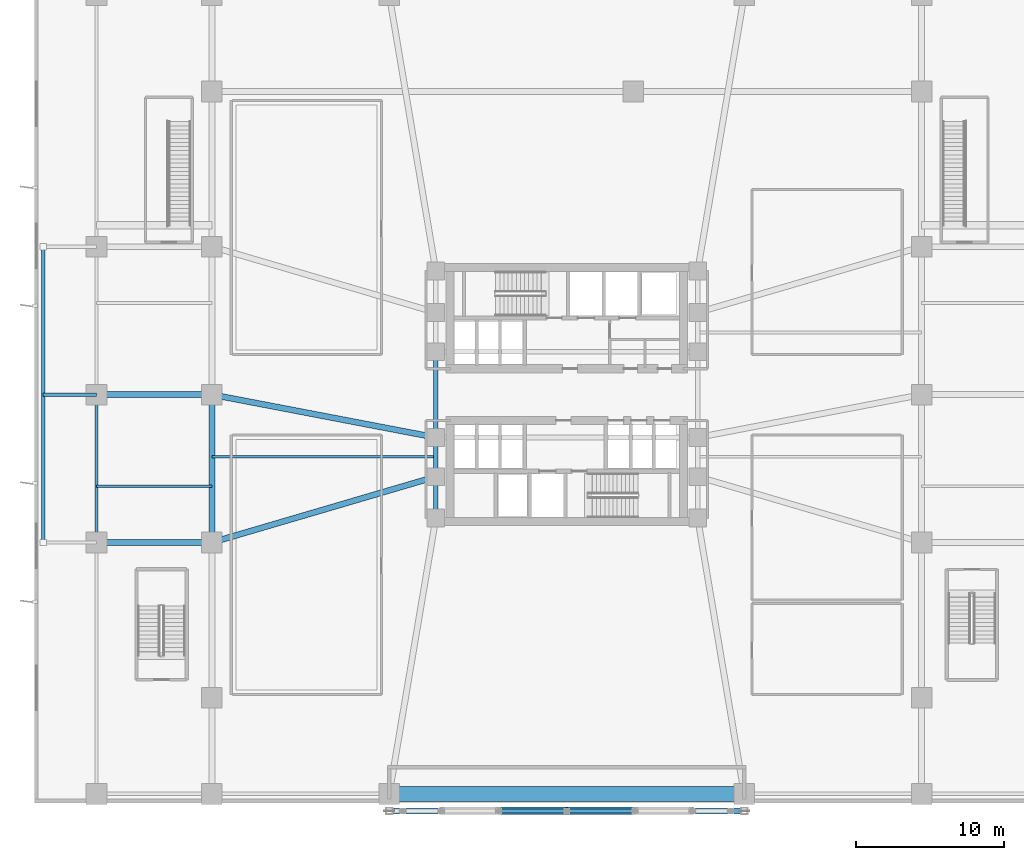
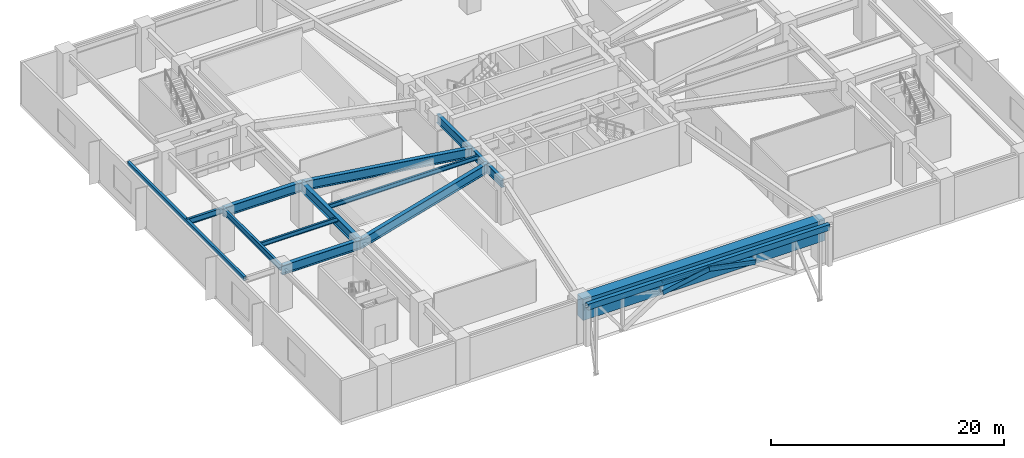
# One storey, part 4 of 21: 15 beams, 4 members.
"""IFC4 building model written with IfcOpenShell, lengths in metres."""

from ifc_helpers import new_model, si_unit, direction, frame, origin, origin_2d, place, context, subcontext, project, spatial, rectangle, hollow_rectangle, i_section, extrude, material, material_profile, profile_set, type_object, element, save


model = new_model("IFC4")

# Units and contexts
model_context = context("Model", 3, precision=1e-05, world=origin(), true_north=direction((0.0, 1.0)))
body_context = subcontext(model_context, "Body", "Model", "MODEL_VIEW")
ifc_project = project(units=[si_unit("LENGTHUNIT", "METRE"), si_unit("AREAUNIT", "SQUARE_METRE"), si_unit("VOLUMEUNIT", "CUBIC_METRE"), si_unit("PLANEANGLEUNIT", "RADIAN"), si_unit("MASSUNIT", "GRAM", prefix="KILO")], contexts=[model_context])

# Site, building, storey
site_placement = place(None, origin())
site = spatial("IfcSite", under=ifc_project, at=site_placement, CompositionType="ELEMENT")
building_placement = place(site_placement, origin())
building = spatial("IfcBuilding", under=site, at=building_placement, Name="Solmarez Civic Tower", CompositionType="ELEMENT")
storey_placement = place(building_placement, frame((0.0, 0.0, 10.080078125)))
storey = spatial("IfcBuildingStorey", under=building, at=storey_placement, Name="L02", CompositionType="ELEMENT", Elevation=10.080078125)

# Beams
ifc_material_1 = material(Name="Steel S355", Category="steel")
ifc_material_profile_1 = material_profile(ifc_material_1, i_section(OverallWidth=0.19189453125, OverallDepth=0.462890625, WebThickness=0.010498046875, FlangeThickness=0.017578125, at=origin_2d()), Name="W18X60")
ifc_profile_set_1 = profile_set([ifc_material_profile_1], Name="Steel S355")
beam_type_1 = type_object("IfcBeamType", Name="BM-JS-W18X60", PredefinedType="JOIST", material=ifc_profile_set_1)
beam_1_placement = place(storey_placement, frame((-24.0, -4.199951171875, 4.1279296875), z_axis=(1.0, 0.0, 0.0), x_axis=(0.0, 1.0, 0.0)))
element("IfcBeam", 1, at=beam_1_placement, inside=storey, type_object=beam_type_1, Name="L02 Secondary Floor Joist JS-L02-WM1", PredefinedType="JOIST", context=body_context, shape_type="SweptSolid", body=[
    extrude(i_section(OverallWidth=0.19189453125, OverallDepth=0.462890625, WebThickness=0.010498046875, FlangeThickness=0.017578125, at=origin_2d()), origin(), (0.0, 0.0, 1.0), 15.14990234375),
])
beam_2_placement = place(storey_placement, frame((-31.800048828125, -6.199951171875, 4.1279296875), z_axis=(1.0, 0.0, 0.0), x_axis=(0.0, 1.0, 0.0)))
element("IfcBeam", 2, at=beam_2_placement, inside=storey, type_object=beam_type_1, Name="L02 Secondary Floor Joist JS-L02-WW1", PredefinedType="JOIST", context=body_context, shape_type="SweptSolid", body=[
    extrude(i_section(OverallWidth=0.19189453125, OverallDepth=0.462890625, WebThickness=0.010498046875, FlangeThickness=0.017578125, at=origin_2d()), origin(), (0.0, 0.0, 1.0), 7.800048828125),
])
ifc_material_profile_2 = material_profile(ifc_material_1, i_section(OverallWidth=0.306884765625, OverallDepth=0.927001953125, WebThickness=0.019287109375, FlangeThickness=0.031982421875, at=origin_2d()), Name="W36X194")
ifc_profile_set_2 = profile_set([ifc_material_profile_2], Name="Steel S355")
beam_type_2 = type_object("IfcBeamType", Name="BM-PR-W36X194", PredefinedType="BEAM", material=ifc_profile_set_2)
beam_3_placement = place(storey_placement, frame((-8.85009765625, -8.35009765625, 3.89599609375), z_axis=(0.0, 1.0, 0.0), x_axis=(-1.0, 0.0, 0.0)))
element("IfcBeam", 3, at=beam_3_placement, inside=storey, type_object=beam_type_2, Name="L02 Primary Floor Beam BM-L02-HC12-HC1", PredefinedType="BEAM", context=body_context, shape_type="SweptSolid", body=[
    extrude(i_section(OverallWidth=0.306884765625, OverallDepth=0.927001953125, WebThickness=0.019287109375, FlangeThickness=0.031982421875, at=origin_2d()), origin(), (0.0, 0.0, 1.0), 2.800048828125),
])
beam_4_placement = place(storey_placement, frame((-8.85009765625, -5.550048828125, 3.89599609375), z_axis=(0.0, 1.0, 0.0), x_axis=(-1.0, 0.0, 0.0)))
element("IfcBeam", 4, at=beam_4_placement, inside=storey, type_object=beam_type_2, Name="L02 Primary Floor Beam BM-L02-HC1-HC2", PredefinedType="BEAM", context=body_context, shape_type="SweptSolid", body=[
    extrude(i_section(OverallWidth=0.306884765625, OverallDepth=0.927001953125, WebThickness=0.019287109375, FlangeThickness=0.031982421875, at=origin_2d()), origin(), (0.0, 0.0, 1.0), 2.650146484375),
])
beam_5_placement = place(storey_placement, frame((-8.85009765625, -2.89990234375, 3.89599609375), z_axis=(0.0, 1.0, 0.0), x_axis=(-1.0, 0.0, 0.0)))
element("IfcBeam", 5, at=beam_5_placement, inside=storey, type_object=beam_type_2, Name="L02 Primary Floor Beam BM-L02-HC2-HC3", PredefinedType="BEAM", context=body_context, shape_type="SweptSolid", body=[
    extrude(i_section(OverallWidth=0.306884765625, OverallDepth=0.927001953125, WebThickness=0.019287109375, FlangeThickness=0.031982421875, at=origin_2d()), origin(), (0.0, 0.0, 1.0), 5.7998046875),
])
ifc_material_profile_3 = material_profile(ifc_material_1, i_section(OverallWidth=0.39892578125, OverallDepth=0.98193359375, WebThickness=0.0166015625, FlangeThickness=0.027099609375, at=origin_2d()), Name="W40X199")
ifc_profile_set_3 = profile_set([ifc_material_profile_3], Name="Steel S355")
beam_type_3 = type_object("IfcBeamType", Name="BM-PR-W40X199", PredefinedType="BEAM", material=ifc_profile_set_3)
beam_6_placement = place(storey_placement, frame((-24.0, -10.0, 3.868896484375), z_axis=(0.0, 1.0, 0.0), x_axis=(-1.0, 0.0, 0.0)))
element("IfcBeam", 6, at=beam_6_placement, inside=storey, type_object=beam_type_3, Name="L02 Primary Floor Beam BM-L02-PC19-PC20", PredefinedType="BEAM", context=body_context, shape_type="SweptSolid", body=[
    extrude(i_section(OverallWidth=0.39892578125, OverallDepth=0.98193359375, WebThickness=0.0166015625, FlangeThickness=0.027099609375, at=origin_2d()), origin(), (0.0, 0.0, 1.0), 10.0),
])
for number, where, z_axis, x_axis, name in (
    (7, (-31.800048828125, -10.0, 3.868896484375), (1.0, 0.0, 0.0), (0.0, 1.0, 0.0), "L02 Primary Floor Beam BM-L02-PC13-PC19"),
    (8, (-31.800048828125, 0.0, 3.868896484375), (1.0, 0.0, 0.0), (0.0, 1.0, 0.0), "L02 Primary Floor Beam BM-L02-PC14-PC20"),
):
    element("IfcBeam", number, at=place(storey_placement, frame(where, z_axis=z_axis, x_axis=x_axis)), inside=storey, type_object=beam_type_3, Name=name, PredefinedType="BEAM", context=body_context, shape_type="SweptSolid", body=[
        extrude(i_section(OverallWidth=0.39892578125, OverallDepth=0.98193359375, WebThickness=0.0166015625, FlangeThickness=0.027099609375, at=origin_2d()), origin(), (0.0, 0.0, 1.0), 7.800048828125),
    ])
beam_7_placement = place(storey_placement, frame((-24.0, -10.0, 3.868896484375), z_axis=(0.959466630969, 0.281822256143, 0.0), x_axis=(-0.281822256143, 0.959466630969, 0.0)))
element("IfcBeam", 9, at=beam_7_placement, inside=storey, type_object=beam_type_3, Name="L02 Primary Floor Beam BM-L02-PC19-HC1", PredefinedType="BEAM", context=body_context, shape_type="SweptSolid", body=[
    extrude(i_section(OverallWidth=0.39892578125, OverallDepth=0.98193359375, WebThickness=0.0166015625, FlangeThickness=0.027099609375, at=origin_2d()), origin(), (0.0, 0.0, 1.0), 15.7900390625),
])
beam_8_placement = place(storey_placement, frame((-24.0, 0.0, 3.868896484375), z_axis=(0.982168874333, -0.188000803966, 0.0), x_axis=(0.188000803966, 0.982168874333, 0.0)))
element("IfcBeam", 10, at=beam_8_placement, inside=storey, type_object=beam_type_3, Name="L02 Primary Floor Beam BM-L02-PC20-HC2", PredefinedType="BEAM", context=body_context, shape_type="SweptSolid", body=[
    extrude(i_section(OverallWidth=0.39892578125, OverallDepth=0.98193359375, WebThickness=0.0166015625, FlangeThickness=0.027099609375, at=origin_2d()), origin(), (0.0, 0.0, 1.0), 15.425048828125),
])
ifc_material_profile_4 = material_profile(ifc_material_1, hollow_rectangle(XDim=0.25, YDim=0.39990234375, WallThickness=0.01611328125, at=origin_2d()), Name="HSS400X250X16")
ifc_profile_set_4 = profile_set([ifc_material_profile_4], Name="Steel S355")
beam_type_4 = type_object("IfcBeamType", Name="BM-SP-HSS400X250", PredefinedType="SPANDREL", material=ifc_profile_set_4)
beam_9_placement = place(storey_placement, frame((-35.39990234375, -10.0, 4.159912109375), z_axis=(0.0, 1.0, 0.0), x_axis=(-1.0, 0.0, 0.0)))
element("IfcBeam", 11, at=beam_9_placement, inside=storey, type_object=beam_type_4, Name="L02 Perimeter Spandrel Beam BM-L02-TERRW-EDGE", PredefinedType="SPANDREL", context=body_context, shape_type="SweptSolid", body=[
    extrude(hollow_rectangle(XDim=0.25, YDim=0.39990234375, WallThickness=0.01611328125, at=origin_2d()), origin(), (0.0, 0.0, 1.0), 20.0),
])
ifc_material_profile_5 = material_profile(ifc_material_1, hollow_rectangle(XDim=0.39990234375, YDim=0.60009765625, WallThickness=0.02490234375, at=origin_2d()), Name="HSS600X400X25")
ifc_profile_set_5 = profile_set([ifc_material_profile_5], Name="Steel S355")
beam_type_5 = type_object("IfcBeamType", Name="BM-SP-HSS600X400", PredefinedType="SPANDREL", material=ifc_profile_set_5)
beam_10_placement = place(storey_placement, frame((-12.0, -28.14990234375, 4.06982421875), z_axis=(1.0, 0.0, 0.0), x_axis=(0.0, 1.0, 0.0)))
element("IfcBeam", 12, at=beam_10_placement, inside=storey, type_object=beam_type_5, Name="L02 South Giant Arch Spandrel Tie Beam", PredefinedType="SPANDREL", context=body_context, shape_type="SweptSolid", body=[
    extrude(hollow_rectangle(XDim=0.39990234375, YDim=0.60009765625, WallThickness=0.02490234375, at=origin_2d()), origin(), (0.0, 0.0, 1.0), 24.0),
])
ifc_material_profile_6 = material_profile(ifc_material_1, i_section(OverallWidth=0.22900390625, OverallDepth=0.612060546875, WebThickness=0.011962890625, FlangeThickness=0.01953125, at=origin_2d()), Name="W24X84")
ifc_profile_set_6 = profile_set([ifc_material_profile_6], Name="Steel S355")
beam_type_6 = type_object("IfcBeamType", Name="BM-SP-W24X84", PredefinedType="SPANDREL", material=ifc_profile_set_6)
beam_11_placement = place(storey_placement, frame((-31.800048828125, -10.0, 4.053955078125), z_axis=(0.0, 1.0, 0.0), x_axis=(-1.0, 0.0, 0.0)))
element("IfcBeam", 13, at=beam_11_placement, inside=storey, type_object=beam_type_6, Name="L02 Perimeter Spandrel Beam BM-L02-PC13-PC14", PredefinedType="SPANDREL", context=body_context, shape_type="SweptSolid", body=[
    extrude(i_section(OverallWidth=0.22900390625, OverallDepth=0.612060546875, WebThickness=0.011962890625, FlangeThickness=0.01953125, at=origin_2d()), origin(), (0.0, 0.0, 1.0), 10.0),
])
beam_12_placement = place(storey_placement, frame((-31.800048828125, 0.0, 4.053955078125), z_axis=(-1.0, 0.0, 0.0), x_axis=(0.0, -1.0, 0.0)))
element("IfcBeam", 14, at=beam_12_placement, inside=storey, type_object=beam_type_6, Name="L02 Perimeter Spandrel Beam BM-L02-TERRW-20", PredefinedType="SPANDREL", context=body_context, shape_type="SweptSolid", body=[
    extrude(i_section(OverallWidth=0.22900390625, OverallDepth=0.612060546875, WebThickness=0.011962890625, FlangeThickness=0.01953125, at=origin_2d()), origin(), (0.0, 0.0, 1.0), 3.599853515625),
])
ifc_material_2 = material(Name="Concrete C60/75", Category="concrete")
ifc_material_profile_7 = material_profile(ifc_material_2, rectangle(XDim=1.0, YDim=2.199951171875, at=origin_2d()), Name="RC1000X2200")
ifc_profile_set_7 = profile_set([ifc_material_profile_7], Name="Concrete C60/75")
beam_type_7 = type_object("IfcBeamType", Name="BM-TG-RC1000X2200", PredefinedType="USERDEFINED", material=ifc_profile_set_7)
beam_13_placement = place(storey_placement, frame((-12.0, -27.0, 3.260009765625), z_axis=(1.0, 0.0, 0.0), x_axis=(0.0, 1.0, 0.0)))
element("IfcBeam", 15, at=beam_13_placement, inside=storey, type_object=beam_type_7, Name="L02 Transfer Girder BM-L02-PC03-PC04", ObjectType="TRANSFER_GIRDER", PredefinedType="USERDEFINED", context=body_context, shape_type="SweptSolid", body=[
    extrude(rectangle(XDim=1.0, YDim=2.199951171875, at=origin_2d()), origin(), (0.0, 0.0, 1.0), 24.0),
])

# Members
ifc_material_profile_8 = material_profile(ifc_material_1, hollow_rectangle(XDim=0.5, YDim=0.5, WallThickness=0.02490234375, at=origin_2d()), Name="HSS500X500X25")
ifc_profile_set_8 = profile_set([ifc_material_profile_8], Name="Steel S355")
member_type_1 = type_object("IfcMemberType", Name="MEM-ARCH-HSS500", PredefinedType="USERDEFINED", material=ifc_profile_set_8)
for number, where, z_axis, x_axis, name in (
    (16, (-4.592041015625, -28.14990234375, 3.036865234375), (0.982007564141, 0.0, 0.188841584321), (0.0, 1.0, 0.0), "South Civic Arch Rib Segment 4"),
    (17, (0.0, -28.14990234375, 3.919921875), (0.982007564141, 0.0, -0.188841584321), (0.0, 1.0, 0.0), "South Civic Arch Rib Segment 5"),
):
    element("IfcMember", number, at=place(storey_placement, frame(where, z_axis=z_axis, x_axis=x_axis)), inside=storey, type_object=member_type_1, Name=name, ObjectType="ARCH_RIB", PredefinedType="USERDEFINED", context=body_context, shape_type="SweptSolid", body=[
        extrude(hollow_rectangle(XDim=0.5, YDim=0.5, WallThickness=0.02490234375, at=origin_2d()), origin(), (0.0, 0.0, 1.0), 4.67626953125),
    ])
ifc_material_profile_9 = material_profile(ifc_material_1, hollow_rectangle(XDim=0.25, YDim=0.25, WallThickness=0.011962890625, at=origin_2d()), Name="HSS250X250X12")
ifc_profile_set_9 = profile_set([ifc_material_profile_9], Name="Steel S355")
member_type_2 = type_object("IfcMemberType", Name="MEM-BRC-HSS250", PredefinedType="BRACE", material=ifc_profile_set_9)
member_1_placement = place(storey_placement, frame((-4.592041015625, -28.14990234375, 4.06982421875), z_axis=(0.999467611818, 0.0, -0.032626567795), x_axis=(0.0, 1.0, 0.0)))
element("IfcMember", 18, at=member_1_placement, inside=storey, type_object=member_type_2, Name="South Civic Arch Spandrel Diagonal 4", PredefinedType="BRACE", context=body_context, shape_type="SweptSolid", body=[
    extrude(hollow_rectangle(XDim=0.25, YDim=0.25, WallThickness=0.011962890625, at=origin_2d()), origin(), (0.0, 0.0, 1.0), 4.594482421875),
])
member_2_placement = place(storey_placement, frame((0.0, -28.14990234375, 4.06982421875), z_axis=(0.975621140863, 0.0, -0.219461590036), x_axis=(0.0, 1.0, 0.0)))
element("IfcMember", 19, at=member_2_placement, inside=storey, type_object=member_type_2, Name="South Civic Arch Spandrel Diagonal 5", PredefinedType="BRACE", context=body_context, shape_type="SweptSolid", body=[
    extrude(hollow_rectangle(XDim=0.25, YDim=0.25, WallThickness=0.011962890625, at=origin_2d()), origin(), (0.0, 0.0, 1.0), 4.706787109375),
])

save(model, "model.ifc")
